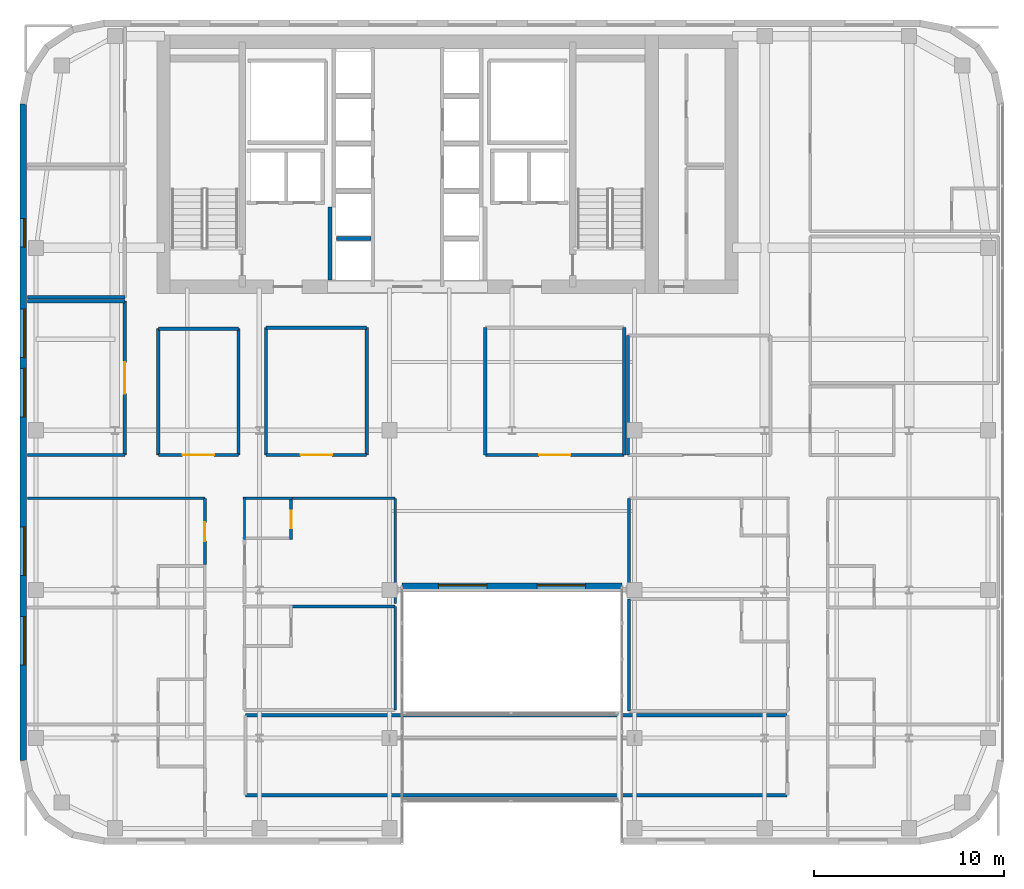
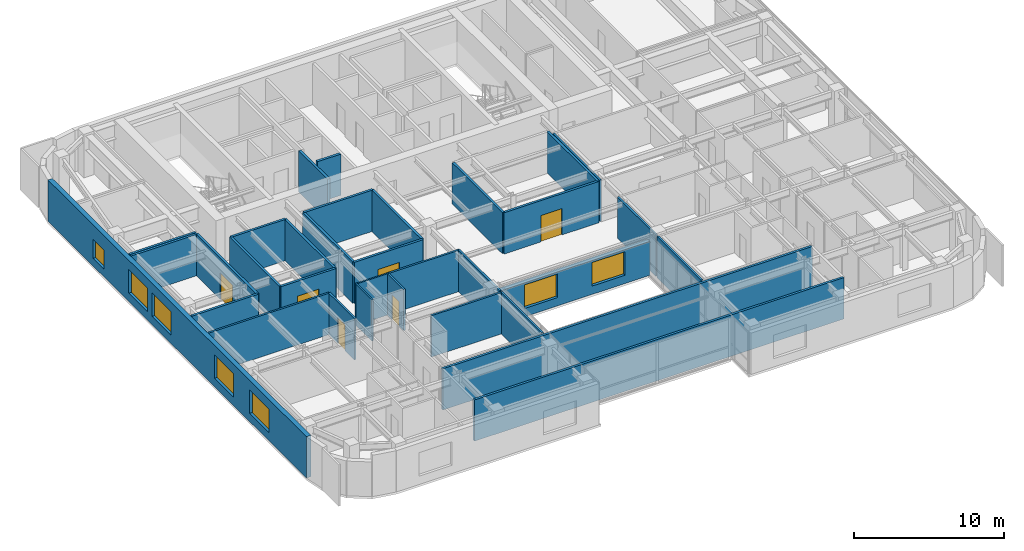
# One storey, part 14 of 20: 33 walls, 7 windows, 6 doors, 13 openings.
"""IFC4 building model written with IfcOpenShell, lengths in metres."""

from ifc_helpers import new_model, si_unit, direction, frame, frame_2d, origin, place, context, subcontext, project, spatial, rectangle, extrude, source, transform, mapped, material, layer, layer_set, type_object, type_shapes, element, fill, save


model = new_model("IFC4")

# Units and contexts
model_context = context("Model", 3, precision=1e-05, world=origin(), true_north=direction((0.0, 1.0)))
body_context = subcontext(model_context, "Body", "Model", "MODEL_VIEW")
ifc_project = project(units=[si_unit("LENGTHUNIT", "METRE"), si_unit("AREAUNIT", "SQUARE_METRE"), si_unit("VOLUMEUNIT", "CUBIC_METRE"), si_unit("PLANEANGLEUNIT", "RADIAN"), si_unit("MASSUNIT", "GRAM", prefix="KILO")], contexts=[model_context])

# Site, building, storey
site_placement = place(None, origin())
site = spatial("IfcSite", under=ifc_project, at=site_placement, CompositionType="ELEMENT")
building_placement = place(site_placement, origin())
building = spatial("IfcBuilding", under=site, at=building_placement, Name="Tolvann Quenvar Hotel", CompositionType="ELEMENT")
storey_placement = place(building_placement, frame((0.0, 0.0, 171.89990234375)))
storey = spatial("IfcBuildingStorey", under=building, at=storey_placement, Name="L45", CompositionType="ELEMENT", Elevation=171.89990234375)

# Wall, openings, windows
ifc_material_1 = material(Name="Kiln-fired red and buff architectural clay brickwork and terracotta masonry", Category="masonry")
ifc_layer_1 = layer(ifc_material_1, 0.35009765625)
ifc_layer_set_1 = layer_set([ifc_layer_1], Name="Kiln-fired red and buff architectural clay brickwork and terracotta masonry")
wall_type_1 = type_object("IfcWallType", Name="WALL_EXT_BRICK_350", PredefinedType="SOLIDWALL", material=ifc_layer_set_1)
wall_1_placement = place(storey_placement, frame((22.7099609375, 16.175048828125, 0.0), z_axis=(0.0, 0.0, 1.0), x_axis=(1.0, 0.0, 0.0)))
wall_1 = element("IfcWall", 1, at=wall_1_placement, inside=storey, type_object=wall_type_1, Name="Exterior Chicago Brick Wall L45-E06", PredefinedType="SOLIDWALL", context=body_context, shape_type="SweptSolid", body=[
    extrude(rectangle(XDim=11.580078125, YDim=0.35009765625, at=frame_2d((5.7900390625, 0.0))), origin(), (0.0, 0.0, 1.0), 2.758056640625),
])
opening_1_placement = place(wall_1_placement, frame((1.919921875, 0.0, 0.679931640625)))
opening_1 = element("IfcOpeningElement", 2, at=opening_1_placement, cuts=wall_1, Name="Opening W-09", PredefinedType="OPENING", context=body_context, shape_type="SweptSolid", body=[
    extrude(rectangle(XDim=2.550048828125, YDim=1.919921875, at=frame_2d((1.27490234375, 0.9599609375))), frame((0.0, 0.18505859375, 0.0), z_axis=(0.0, -1.0, 0.0), x_axis=(1.0, 0.0, 0.0)), (0.0, 0.0, 1.0), 0.3701171875),
])
opening_2_placement = place(wall_1_placement, frame((7.110107421875, 0.0, 0.679931640625)))
opening_2 = element("IfcOpeningElement", 3, at=opening_2_placement, cuts=wall_1, Name="Opening W-09", PredefinedType="OPENING", context=body_context, shape_type="SweptSolid", body=[
    extrude(rectangle(XDim=2.550048828125, YDim=1.919921875, at=frame_2d((1.27490234375, 0.9599609375))), frame((0.0, 0.18505859375, 0.0), z_axis=(0.0, -1.0, 0.0), x_axis=(1.0, 0.0, 0.0)), (0.0, 0.0, 1.0), 0.3701171875),
])
ifc_material_2 = material(Name="Thermally broken bronze-anodised aluminium frame with double low-E glazing", Category="aluminium")
window_type_1 = type_object("IfcWindowType", Name="WIN_LNG_2550x1950", PartitioningType="TRIPLE_PANEL_HORIZONTAL", PredefinedType="WINDOW", material=ifc_material_2)
shared_shape_1 = source(origin(), body_context, "Body", "SweptSolid", [
    extrude(rectangle(XDim=2.550048828125, YDim=1.919921875, at=frame_2d((1.27490234375, 0.9599609375))), frame((0.0, 0.090087890625, 0.0), z_axis=(0.0, -1.0, 0.0), x_axis=(1.0, 0.0, 0.0)), (0.0, 0.0, 1.0), 0.06005859375),
])
type_shapes(window_type_1, [shared_shape_1])
window_1_placement = place(opening_1_placement, origin())
window_1 = element("IfcWindow", 4, at=window_1_placement, inside=storey, type_object=window_type_1, Name="Chicago Window W-09 (EW-L45-E06-W01)", OverallHeight=1.919921875, OverallWidth=2.550048828125, PartitioningType="TRIPLE_PANEL_HORIZONTAL", PredefinedType="WINDOW", context=body_context, shape_type="MappedRepresentation", body=[
    mapped(shared_shape_1, transform((0.0, 0.0, 0.0), x_axis=(1.0, 0.0, 0.0), y_axis=(0.0, 1.0, 0.0), z_axis=(0.0, 0.0, 1.0), scale=1.0)),
])
fill(opening_1, window_1)
window_2_placement = place(opening_2_placement, origin())
window_2 = element("IfcWindow", 5, at=window_2_placement, inside=storey, type_object=window_type_1, Name="Chicago Window W-09 (EW-L45-E06-W02)", OverallHeight=1.919921875, OverallWidth=2.550048828125, PartitioningType="TRIPLE_PANEL_HORIZONTAL", PredefinedType="WINDOW", context=body_context, shape_type="MappedRepresentation", body=[
    mapped(shared_shape_1, transform((0.0, 0.0, 0.0), x_axis=(1.0, 0.0, 0.0), y_axis=(0.0, 1.0, 0.0), z_axis=(0.0, 0.0, 1.0), scale=1.0)),
])
fill(opening_2, window_2)

wall_2_placement = place(storey_placement, frame((2.77490234375, 41.582763671875, 0.0), z_axis=(0.0, 0.0, 1.0), x_axis=(0.0, -1.0, 0.0)))
wall_2 = element("IfcWall", 6, at=wall_2_placement, inside=storey, type_object=wall_type_1, Name="Exterior Chicago Brick Wall L45-E23", PredefinedType="SOLIDWALL", context=body_context, shape_type="SweptSolid", body=[
    extrude(rectangle(XDim=34.565673828125, YDim=0.35009765625, at=frame_2d((17.28271484375, 0.0))), origin(), (0.0, 0.0, 1.0), 3.3701171875),
])
opening_3_placement = place(wall_2_placement, frame((10.802001953125, 0.0, 0.679931640625)))
opening_3 = element("IfcOpeningElement", 7, at=opening_3_placement, cuts=wall_2, Name="Opening W-09", PredefinedType="OPENING", context=body_context, shape_type="SweptSolid", body=[
    extrude(rectangle(XDim=2.550048828125, YDim=1.919921875, at=frame_2d((1.27490234375, 0.9599609375))), frame((0.0, 0.18505859375, 0.0), z_axis=(0.0, -1.0, 0.0), x_axis=(1.0, 0.0, 0.0)), (0.0, 0.0, 1.0), 0.3701171875),
])
opening_4_placement = place(wall_2_placement, frame((13.922119140625, 0.0, 0.679931640625)))
opening_4 = element("IfcOpeningElement", 8, at=opening_4_placement, cuts=wall_2, Name="Opening W-09", PredefinedType="OPENING", context=body_context, shape_type="SweptSolid", body=[
    extrude(rectangle(XDim=2.550048828125, YDim=1.919921875, at=frame_2d((1.27490234375, 0.9599609375))), frame((0.0, 0.18505859375, 0.0), z_axis=(0.0, -1.0, 0.0), x_axis=(1.0, 0.0, 0.0)), (0.0, 0.0, 1.0), 0.3701171875),
])
opening_5_placement = place(wall_2_placement, frame((22.263916015625, 0.0, 0.679931640625)))
opening_5 = element("IfcOpeningElement", 9, at=opening_5_placement, cuts=wall_2, Name="Opening W-09", PredefinedType="OPENING", context=body_context, shape_type="SweptSolid", body=[
    extrude(rectangle(XDim=2.550048828125, YDim=1.919921875, at=frame_2d((1.27490234375, 0.9599609375))), frame((0.0, 0.18505859375, 0.0), z_axis=(0.0, -1.0, 0.0), x_axis=(1.0, 0.0, 0.0)), (0.0, 0.0, 1.0), 0.3701171875),
])
opening_6_placement = place(wall_2_placement, frame((26.985107421875, 0.0, 0.679931640625)))
opening_6 = element("IfcOpeningElement", 10, at=opening_6_placement, cuts=wall_2, Name="Opening W-09", PredefinedType="OPENING", context=body_context, shape_type="SweptSolid", body=[
    extrude(rectangle(XDim=2.550048828125, YDim=1.919921875, at=frame_2d((1.27490234375, 0.9599609375))), frame((0.0, 0.18505859375, 0.0), z_axis=(0.0, -1.0, 0.0), x_axis=(1.0, 0.0, 0.0)), (0.0, 0.0, 1.0), 0.3701171875),
])
opening_7_placement = place(wall_2_placement, frame((6.032958984375, 0.0, 0.6201171875)))
opening_7 = element("IfcOpeningElement", 11, at=opening_7_placement, cuts=wall_2, Name="Opening W-08", PredefinedType="OPENING", context=body_context, shape_type="SweptSolid", body=[
    extrude(rectangle(XDim=1.5, YDim=1.550048828125, at=frame_2d((0.75, 0.77490234375))), frame((0.0, 0.18505859375, 0.0), z_axis=(0.0, -1.0, 0.0), x_axis=(1.0, 0.0, 0.0)), (0.0, 0.0, 1.0), 0.3701171875),
])
window_type_2 = type_object("IfcWindowType", Name="WIN_COR_1500x2050", PartitioningType="SINGLE_PANEL", PredefinedType="WINDOW", material=ifc_material_2)
shared_shape_2 = source(origin(), body_context, "Body", "SweptSolid", [
    extrude(rectangle(XDim=1.5, YDim=1.550048828125, at=frame_2d((0.75, 0.77490234375))), frame((0.0, 0.090087890625, 0.0), z_axis=(0.0, -1.0, 0.0), x_axis=(1.0, 0.0, 0.0)), (0.0, 0.0, 1.0), 0.06005859375),
])
type_shapes(window_type_2, [shared_shape_2])
window_3_placement = place(opening_7_placement, origin())
window_3 = element("IfcWindow", 12, at=window_3_placement, inside=storey, type_object=window_type_2, Name="Chicago Window W-08 (EW-L45-E23-WD05)", OverallHeight=1.550048828125, OverallWidth=1.5, PartitioningType="SINGLE_PANEL", PredefinedType="WINDOW", context=body_context, shape_type="MappedRepresentation", body=[
    mapped(shared_shape_2, transform((0.0, 0.0, 0.0), x_axis=(1.0, 0.0, 0.0), y_axis=(0.0, 1.0, 0.0), z_axis=(0.0, 0.0, 1.0), scale=1.0)),
])
fill(opening_7, window_3)
window_4_placement = place(opening_3_placement, origin())
window_4 = element("IfcWindow", 13, at=window_4_placement, inside=storey, type_object=window_type_1, Name="Chicago Window W-09 (EW-L45-E23-W01)", OverallHeight=1.919921875, OverallWidth=2.550048828125, PartitioningType="TRIPLE_PANEL_HORIZONTAL", PredefinedType="WINDOW", context=body_context, shape_type="MappedRepresentation", body=[
    mapped(shared_shape_1, transform((0.0, 0.0, 0.0), x_axis=(1.0, 0.0, 0.0), y_axis=(0.0, 1.0, 0.0), z_axis=(0.0, 0.0, 1.0), scale=1.0)),
])
fill(opening_3, window_4)
window_5_placement = place(opening_4_placement, origin())
window_5 = element("IfcWindow", 14, at=window_5_placement, inside=storey, type_object=window_type_1, Name="Chicago Window W-09 (EW-L45-E23-W02)", OverallHeight=1.919921875, OverallWidth=2.550048828125, PartitioningType="TRIPLE_PANEL_HORIZONTAL", PredefinedType="WINDOW", context=body_context, shape_type="MappedRepresentation", body=[
    mapped(shared_shape_1, transform((0.0, 0.0, 0.0), x_axis=(1.0, 0.0, 0.0), y_axis=(0.0, 1.0, 0.0), z_axis=(0.0, 0.0, 1.0), scale=1.0)),
])
fill(opening_4, window_5)
window_6_placement = place(opening_5_placement, origin())
window_6 = element("IfcWindow", 15, at=window_6_placement, inside=storey, type_object=window_type_1, Name="Chicago Window W-09 (EW-L45-E23-W03)", OverallHeight=1.919921875, OverallWidth=2.550048828125, PartitioningType="TRIPLE_PANEL_HORIZONTAL", PredefinedType="WINDOW", context=body_context, shape_type="MappedRepresentation", body=[
    mapped(shared_shape_1, transform((0.0, 0.0, 0.0), x_axis=(1.0, 0.0, 0.0), y_axis=(0.0, 1.0, 0.0), z_axis=(0.0, 0.0, 1.0), scale=1.0)),
])
fill(opening_5, window_6)
window_7_placement = place(opening_6_placement, origin())
window_7 = element("IfcWindow", 16, at=window_7_placement, inside=storey, type_object=window_type_1, Name="Chicago Window W-09 (EW-L45-E23-W04)", OverallHeight=1.919921875, OverallWidth=2.550048828125, PartitioningType="TRIPLE_PANEL_HORIZONTAL", PredefinedType="WINDOW", context=body_context, shape_type="MappedRepresentation", body=[
    mapped(shared_shape_1, transform((0.0, 0.0, 0.0), x_axis=(1.0, 0.0, 0.0), y_axis=(0.0, 1.0, 0.0), z_axis=(0.0, 0.0, 1.0), scale=1.0)),
])
fill(opening_6, window_7)

# Walls
ifc_material_3 = material(Name="Acoustic twin-stud fire-rated gypsum plasterboard partition")
ifc_layer_2 = layer(ifc_material_3, 0.179931640625)
ifc_layer_set_2 = layer_set([ifc_layer_2], Name="Acoustic twin-stud fire-rated gypsum plasterboard partition")
wall_type_2 = type_object("IfcWallType", Name="WALL_PART_ACOUSTIC_180", PredefinedType="PARTITIONING", material=ifc_layer_set_2)
for number, where, z_axis, x_axis, name in (
    (17, (3.0048828125, 23.10009765625, 0.0), (0.0, 0.0, 1.0), (1.0, 0.0, 0.0), "Interior Partition PT-SPC-L45-SAL-S"),
    (18, (3.0048828125, 31.199951171875, 0.0), (0.0, 0.0, 1.0), (1.0, 0.0, 0.0), "Interior Partition PT-SPC-L45-SAL-N"),
):
    element("IfcWall", number, at=place(storey_placement, frame(where, z_axis=z_axis, x_axis=x_axis)), inside=storey, type_object=wall_type_2, Name=name, PredefinedType="PARTITIONING", context=body_context, shape_type="SweptSolid", body=[
        extrude(rectangle(XDim=5.115234375, YDim=0.179931640625, at=frame_2d((2.5576171875, 0.0))), origin(), (0.0, 0.0, 1.0), 3.3701171875),
    ])

# Wall, opening, door
wall_3_placement = place(storey_placement, frame((8.1201171875, 23.10009765625, 0.0), z_axis=(0.0, 0.0, 1.0), x_axis=(0.0, 1.0, 0.0)))
wall_3 = element("IfcWall", 19, at=wall_3_placement, inside=storey, type_object=wall_type_2, Name="Interior Partition PT-SPC-L45-SAL-E", PredefinedType="PARTITIONING", context=body_context, shape_type="SweptSolid", body=[
    extrude(rectangle(XDim=8.099853515625, YDim=0.179931640625, at=frame_2d((4.0498046875, 0.0))), origin(), (0.0, 0.0, 1.0), 3.3701171875),
])
opening_8_placement = place(wall_3_placement, frame((3.22509765625, 0.0, 0.0)))
opening_8 = element("IfcOpeningElement", 20, at=opening_8_placement, cuts=wall_3, Name="Opening AD-01", PredefinedType="OPENING", context=body_context, shape_type="SweptSolid", body=[
    extrude(rectangle(XDim=1.64990234375, YDim=2.14990234375, at=frame_2d((0.824951171875, 1.074951171875))), frame((0.0, 0.10009765625, 0.0), z_axis=(0.0, -1.0, 0.0), x_axis=(1.0, 0.0, 0.0)), (0.0, 0.0, 1.0), 0.199951171875),
])
ifc_material_4 = material(Name="Solid-core American oak acoustic fire door leaf in steel frame", Category="steel")
door_type_1 = type_object("IfcDoorType", Name="DOOR_SALON_1650", OperationType="NOTDEFINED", PredefinedType="DOOR", material=ifc_material_4)
shared_shape_3 = source(origin(), body_context, "Body", "SweptSolid", [
    extrude(rectangle(XDim=1.64990234375, YDim=2.14990234375, at=frame_2d((0.824951171875, 1.074951171875))), frame((0.0, 0.02490234375, 0.0), z_axis=(0.0, -1.0, 0.0), x_axis=(1.0, 0.0, 0.0)), (0.0, 0.0, 1.0), 0.050048828125),
])
type_shapes(door_type_1, [shared_shape_3])
door_1_placement = place(opening_8_placement, origin())
door_1 = element("IfcDoor", 21, at=door_1_placement, inside=storey, type_object=door_type_1, Name="Interior Door DOOR-SPC-L45-SAL", OperationType="DOUBLE_DOOR_SINGLE_SWING", OverallHeight=2.14990234375, OverallWidth=1.64990234375, PredefinedType="DOOR", context=body_context, shape_type="MappedRepresentation", body=[
    mapped(shared_shape_3, transform((0.0, 0.0, 0.0), x_axis=(1.0, 0.0, 0.0), y_axis=(0.0, 1.0, 0.0), z_axis=(0.0, 0.0, 1.0), scale=1.0)),
])
fill(opening_8, door_1)

# Wall
wall_4_placement = place(storey_placement, frame((3.0048828125, 31.39990234375, 0.0), z_axis=(0.0, 0.0, 1.0), x_axis=(1.0, 0.0, 0.0)))
element("IfcWall", 22, at=wall_4_placement, inside=storey, type_object=wall_type_2, Name="Interior Partition PT-SPC-L45-MTG-S", PredefinedType="PARTITIONING", context=body_context, shape_type="SweptSolid", body=[
    extrude(rectangle(XDim=5.115234375, YDim=0.179931640625, at=frame_2d((2.5576171875, 0.0))), origin(), (0.0, 0.0, 1.0), 3.3701171875),
])

# Wall, opening, door
wall_5_placement = place(storey_placement, frame((9.8798828125, 23.10009765625, 0.0), z_axis=(0.0, 0.0, 1.0), x_axis=(1.0, 0.0, 0.0)))
wall_5 = element("IfcWall", 23, at=wall_5_placement, inside=storey, type_object=wall_type_2, Name="Interior Partition PT-SPC-L45-MSP-W-S", PredefinedType="PARTITIONING", context=body_context, shape_type="SweptSolid", body=[
    extrude(rectangle(XDim=4.22021484375, YDim=0.179931640625, at=frame_2d((2.110107421875, 0.0))), origin(), (0.0, 0.0, 1.0), 3.3701171875),
])
opening_9_placement = place(wall_5_placement, frame((1.284912109375, 0.0, 0.0)))
opening_9 = element("IfcOpeningElement", 24, at=opening_9_placement, cuts=wall_5, Name="Opening AD-01", PredefinedType="OPENING", context=body_context, shape_type="SweptSolid", body=[
    extrude(rectangle(XDim=1.64990234375, YDim=2.14990234375, at=frame_2d((0.824951171875, 1.074951171875))), frame((0.0, 0.10009765625, 0.0), z_axis=(0.0, -1.0, 0.0), x_axis=(1.0, 0.0, 0.0)), (0.0, 0.0, 1.0), 0.199951171875),
])
door_2_placement = place(opening_9_placement, origin())
door_2 = element("IfcDoor", 25, at=door_2_placement, inside=storey, type_object=door_type_1, Name="Interior Door DOOR-SPC-L45-MSP-W", OperationType="DOUBLE_DOOR_SINGLE_SWING", OverallHeight=2.14990234375, OverallWidth=1.64990234375, PredefinedType="DOOR", context=body_context, shape_type="MappedRepresentation", body=[
    mapped(shared_shape_3, transform((0.0, 0.0, 0.0), x_axis=(1.0, 0.0, 0.0), y_axis=(0.0, 1.0, 0.0), z_axis=(0.0, 0.0, 1.0), scale=1.0)),
])
fill(opening_9, door_2)

# Walls
wall_6_placement = place(storey_placement, frame((9.8798828125, 29.75, 0.0), z_axis=(0.0, 0.0, 1.0), x_axis=(1.0, 0.0, 0.0)))
element("IfcWall", 26, at=wall_6_placement, inside=storey, type_object=wall_type_2, Name="Interior Partition PT-SPC-L45-MSP-W-N", PredefinedType="PARTITIONING", context=body_context, shape_type="SweptSolid", body=[
    extrude(rectangle(XDim=4.22021484375, YDim=0.179931640625, at=frame_2d((2.110107421875, 0.0))), origin(), (0.0, 0.0, 1.0), 3.3701171875),
])
for number, where, z_axis, x_axis, name in (
    (27, (9.8798828125, 23.10009765625, 0.0), (0.0, 0.0, 1.0), (0.0, 1.0, 0.0), "Interior Partition PT-SPC-L45-MSP-W-W"),
    (28, (14.10009765625, 23.10009765625, 0.0), (0.0, 0.0, 1.0), (0.0, 1.0, 0.0), "Interior Partition PT-SPC-L45-MSP-W-E"),
):
    element("IfcWall", number, at=place(storey_placement, frame(where, z_axis=z_axis, x_axis=x_axis)), inside=storey, type_object=wall_type_2, Name=name, PredefinedType="PARTITIONING", context=body_context, shape_type="SweptSolid", body=[
        extrude(rectangle(XDim=6.64990234375, YDim=0.179931640625, at=frame_2d((3.324951171875, 0.0))), origin(), (0.0, 0.0, 1.0), 3.3701171875),
    ])

# Wall, opening, door
wall_7_placement = place(storey_placement, frame((27.10009765625, 23.10009765625, 0.0), z_axis=(0.0, 0.0, 1.0), x_axis=(1.0, 0.0, 0.0)))
wall_7 = element("IfcWall", 29, at=wall_7_placement, inside=storey, type_object=wall_type_2, Name="Interior Partition PT-SPC-L45-MSP-C-S", PredefinedType="PARTITIONING", context=body_context, shape_type="SweptSolid", body=[
    extrude(rectangle(XDim=7.2998046875, YDim=0.179931640625, at=frame_2d((3.64990234375, 0.0))), origin(), (0.0, 0.0, 1.0), 3.3701171875),
])
opening_10_placement = place(wall_7_placement, frame((2.824951171875, 0.0, 0.0)))
opening_10 = element("IfcOpeningElement", 30, at=opening_10_placement, cuts=wall_7, Name="Opening AD-01", PredefinedType="OPENING", context=body_context, shape_type="SweptSolid", body=[
    extrude(rectangle(XDim=1.64990234375, YDim=2.14990234375, at=frame_2d((0.824951171875, 1.074951171875))), frame((0.0, 0.10009765625, 0.0), z_axis=(0.0, -1.0, 0.0), x_axis=(1.0, 0.0, 0.0)), (0.0, 0.0, 1.0), 0.199951171875),
])
door_3_placement = place(opening_10_placement, origin())
door_3 = element("IfcDoor", 31, at=door_3_placement, inside=storey, type_object=door_type_1, Name="Interior Door DOOR-SPC-L45-MSP-C", OperationType="DOUBLE_DOOR_SINGLE_SWING", OverallHeight=2.14990234375, OverallWidth=1.64990234375, PredefinedType="DOOR", context=body_context, shape_type="MappedRepresentation", body=[
    mapped(shared_shape_3, transform((0.0, 0.0, 0.0), x_axis=(1.0, 0.0, 0.0), y_axis=(0.0, 1.0, 0.0), z_axis=(0.0, 0.0, 1.0), scale=1.0)),
])
fill(opening_10, door_3)

# Walls
for number, where, z_axis, x_axis, name in (
    (32, (27.10009765625, 23.10009765625, 0.0), (0.0, 0.0, 1.0), (0.0, 1.0, 0.0), "Interior Partition PT-SPC-L45-MSP-C-W"),
    (33, (34.39990234375, 23.10009765625, 0.0), (0.0, 0.0, 1.0), (0.0, 1.0, 0.0), "Interior Partition PT-SPC-L45-MSP-C-E"),
):
    element("IfcWall", number, at=place(storey_placement, frame(where, z_axis=z_axis, x_axis=x_axis)), inside=storey, type_object=wall_type_2, Name=name, PredefinedType="PARTITIONING", context=body_context, shape_type="SweptSolid", body=[
        extrude(rectangle(XDim=6.699951171875, YDim=0.179931640625, at=frame_2d((3.35009765625, 0.0))), origin(), (0.0, 0.0, 1.0), 3.3701171875),
    ])

# Wall, opening, door
wall_8_placement = place(storey_placement, frame((15.550048828125, 23.10009765625, 0.0), z_axis=(0.0, 0.0, 1.0), x_axis=(1.0, 0.0, 0.0)))
wall_8 = element("IfcWall", 34, at=wall_8_placement, inside=storey, type_object=wall_type_2, Name="Interior Partition PT-SPC-L45-MSP-N-S", PredefinedType="PARTITIONING", context=body_context, shape_type="SweptSolid", body=[
    extrude(rectangle(XDim=5.300048828125, YDim=0.179931640625, at=frame_2d((2.64990234375, 0.0))), origin(), (0.0, 0.0, 1.0), 3.3701171875),
])
opening_11_placement = place(wall_8_placement, frame((1.824951171875, 0.0, 0.0)))
opening_11 = element("IfcOpeningElement", 35, at=opening_11_placement, cuts=wall_8, Name="Opening AD-01", PredefinedType="OPENING", context=body_context, shape_type="SweptSolid", body=[
    extrude(rectangle(XDim=1.64990234375, YDim=2.14990234375, at=frame_2d((0.824951171875, 1.074951171875))), frame((0.0, 0.10009765625, 0.0), z_axis=(0.0, -1.0, 0.0), x_axis=(1.0, 0.0, 0.0)), (0.0, 0.0, 1.0), 0.199951171875),
])
door_4_placement = place(opening_11_placement, origin())
door_4 = element("IfcDoor", 36, at=door_4_placement, inside=storey, type_object=door_type_1, Name="Interior Door DOOR-SPC-L45-MSP-N", OperationType="DOUBLE_DOOR_SINGLE_SWING", OverallHeight=2.14990234375, OverallWidth=1.64990234375, PredefinedType="DOOR", context=body_context, shape_type="MappedRepresentation", body=[
    mapped(shared_shape_3, transform((0.0, 0.0, 0.0), x_axis=(1.0, 0.0, 0.0), y_axis=(0.0, 1.0, 0.0), z_axis=(0.0, 0.0, 1.0), scale=1.0)),
])
fill(opening_11, door_4)

# Walls
wall_9_placement = place(storey_placement, frame((15.550048828125, 29.800048828125, 0.0), z_axis=(0.0, 0.0, 1.0), x_axis=(1.0, 0.0, 0.0)))
element("IfcWall", 37, at=wall_9_placement, inside=storey, type_object=wall_type_2, Name="Interior Partition PT-SPC-L45-MSP-N-N", PredefinedType="PARTITIONING", context=body_context, shape_type="SweptSolid", body=[
    extrude(rectangle(XDim=5.300048828125, YDim=0.179931640625, at=frame_2d((2.64990234375, 0.0))), origin(), (0.0, 0.0, 1.0), 3.3701171875),
])
for number, where, z_axis, x_axis, name in (
    (38, (15.550048828125, 23.10009765625, 0.0), (0.0, 0.0, 1.0), (0.0, 1.0, 0.0), "Interior Partition PT-SPC-L45-MSP-N-W"),
    (39, (20.85009765625, 23.10009765625, 0.0), (0.0, 0.0, 1.0), (0.0, 1.0, 0.0), "Interior Partition PT-SPC-L45-MSP-N-E"),
):
    element("IfcWall", number, at=place(storey_placement, frame(where, z_axis=z_axis, x_axis=x_axis)), inside=storey, type_object=wall_type_2, Name=name, PredefinedType="PARTITIONING", context=body_context, shape_type="SweptSolid", body=[
        extrude(rectangle(XDim=6.699951171875, YDim=0.179931640625, at=frame_2d((3.35009765625, 0.0))), origin(), (0.0, 0.0, 1.0), 3.3701171875),
    ])
for number, where, z_axis, x_axis, name in (
    (40, (14.469970703125, 5.199951171875, 0.0), (0.0, 0.0, 1.0), (1.0, 0.0, 0.0), "Interior Partition PT-SPC-L45-BRG-S"),
    (41, (14.469970703125, 9.39990234375, 0.0), (0.0, 0.0, 1.0), (1.0, 0.0, 0.0), "Interior Partition PT-SPC-L45-BRG-N"),
):
    element("IfcWall", number, at=place(storey_placement, frame(where, z_axis=z_axis, x_axis=x_axis)), inside=storey, type_object=wall_type_2, Name=name, PredefinedType="PARTITIONING", context=body_context, shape_type="SweptSolid", body=[
        extrude(rectangle(XDim=28.510009765625, YDim=0.179931640625, at=frame_2d((14.2548828125, 0.0))), origin(), (0.0, 0.0, 1.0), 3.3701171875),
    ])
ifc_material_5 = material(Name="Moisture-resistant acoustic plumbing wall assembly")
ifc_layer_3 = layer(ifc_material_5, 0.1201171875)
ifc_layer_set_3 = layer_set([ifc_layer_3], Name="Moisture-resistant acoustic plumbing wall assembly")
wall_type_3 = type_object("IfcWallType", Name="WALL_PART_BATH_120", PredefinedType="PLUMBINGWALL", material=ifc_layer_set_3)
wall_10_placement = place(storey_placement, frame((14.35009765625, 20.820068359375, 0.0), z_axis=(0.0, 0.0, 1.0), x_axis=(1.0, 0.0, 0.0)))
element("IfcWall", 42, at=wall_10_placement, inside=storey, type_object=wall_type_3, Name="Non-Rated Plumbing Partition PT-SPC-L45-ENS-WI02-N", PredefinedType="PLUMBINGWALL", context=body_context, shape_type="SweptSolid", body=[
    extrude(rectangle(XDim=2.58984375, YDim=0.1201171875, at=frame_2d((1.294921875, 0.0))), origin(), (0.0, 0.0, 1.0), 3.3701171875),
])
wall_11_placement = place(storey_placement, frame((14.419921875, 18.64501953125, 0.0), z_axis=(0.0, 0.0, 1.0), x_axis=(0.0, 1.0, 0.0)))
element("IfcWall", 43, at=wall_11_placement, inside=storey, type_object=wall_type_3, Name="Non-Rated Plumbing Partition PT-SPC-L45-ENS-WI02-W", PredefinedType="PLUMBINGWALL", context=body_context, shape_type="SweptSolid", body=[
    extrude(rectangle(XDim=2.244873046875, YDim=0.1201171875, at=frame_2d((1.12255859375, 0.0))), origin(), (0.0, 0.0, 1.0), 3.3701171875),
])

# Wall, opening, door
ifc_layer_4 = layer(ifc_material_3, 0.14990234375)
ifc_layer_set_4 = layer_set([ifc_layer_4], Name="Acoustic twin-stud fire-rated gypsum plasterboard partition")
wall_type_4 = type_object("IfcWallType", Name="WALL_PART_SUITE_150", PredefinedType="PARTITIONING", material=ifc_layer_set_4)
wall_12_placement = place(storey_placement, frame((16.8701171875, 18.64501953125, 0.0), z_axis=(0.0, 0.0, 1.0), x_axis=(0.0, 1.0, 0.0)))
wall_12 = element("IfcWall", 44, at=wall_12_placement, inside=storey, type_object=wall_type_4, Name="Interior Partition PT-SPC-L45-ENS-WI02-ENT", PredefinedType="PARTITIONING", context=body_context, shape_type="SweptSolid", body=[
    extrude(rectangle(XDim=2.244873046875, YDim=0.14990234375, at=frame_2d((1.12255859375, 0.0))), origin(), (0.0, 0.0, 1.0), 3.3701171875),
])
opening_12_placement = place(wall_12_placement, frame((0.592529296875, 0.0, 0.0)))
opening_12 = element("IfcOpeningElement", 45, at=opening_12_placement, cuts=wall_12, Name="Opening WD-01", PredefinedType="OPENING", context=body_context, shape_type="SweptSolid", body=[
    extrude(rectangle(XDim=0.919921875, YDim=2.010009765625, at=frame_2d((0.4599609375, 1.0048828125))), frame((0.0, 0.0849609375, 0.0), z_axis=(0.0, -1.0, 0.0), x_axis=(1.0, 0.0, 0.0)), (0.0, 0.0, 1.0), 0.169921875),
])
door_type_2 = type_object("IfcDoorType", Name="DOOR_WC_920", OperationType="NOTDEFINED", PredefinedType="DOOR", material=ifc_material_4)
shared_shape_4 = source(origin(), body_context, "Body", "SweptSolid", [
    extrude(rectangle(XDim=0.919921875, YDim=2.010009765625, at=frame_2d((0.4599609375, 1.0048828125))), frame((0.0, 0.02490234375, 0.0), z_axis=(0.0, -1.0, 0.0), x_axis=(1.0, 0.0, 0.0)), (0.0, 0.0, 1.0), 0.050048828125),
])
type_shapes(door_type_2, [shared_shape_4])
door_5_placement = place(opening_12_placement, origin())
door_5 = element("IfcDoor", 46, at=door_5_placement, inside=storey, type_object=door_type_2, Name="Interior Door DOOR-SPC-L45-ENS-WI02", OperationType="SINGLE_SWING_RIGHT", OverallHeight=2.010009765625, OverallWidth=0.919921875, PredefinedType="DOOR", context=body_context, shape_type="MappedRepresentation", body=[
    mapped(shared_shape_4, transform((0.0, 0.0, 0.0), x_axis=(1.0, 0.0, 0.0), y_axis=(0.0, 1.0, 0.0), z_axis=(0.0, 0.0, 1.0), scale=1.0)),
])
fill(opening_12, door_5)

wall_13_placement = place(storey_placement, frame((12.330078125, 17.341064453125, 0.0), z_axis=(0.0, 0.0, 1.0), x_axis=(0.0, 1.0, 0.0)))
wall_13 = element("IfcWall", 47, at=wall_13_placement, inside=storey, type_object=wall_type_4, Name="Interior Partition PT-SPC-L45-RM-WO03-ENT", PredefinedType="PARTITIONING", context=body_context, shape_type="SweptSolid", body=[
    extrude(rectangle(XDim=3.47900390625, YDim=0.14990234375, at=frame_2d((1.739501953125, 0.0))), origin(), (0.0, 0.0, 1.0), 3.3701171875),
])
opening_13_placement = place(wall_13_placement, frame((1.2294921875, 0.0, 0.0)))
opening_13 = element("IfcOpeningElement", 48, at=opening_13_placement, cuts=wall_13, Name="Opening SD-01", PredefinedType="OPENING", context=body_context, shape_type="SweptSolid", body=[
    extrude(rectangle(XDim=0.97998046875, YDim=2.1201171875, at=frame_2d((0.489990234375, 1.06005859375))), frame((0.0, 0.0849609375, 0.0), z_axis=(0.0, -1.0, 0.0), x_axis=(1.0, 0.0, 0.0)), (0.0, 0.0, 1.0), 0.169921875),
])
door_type_3 = type_object("IfcDoorType", Name="DOOR_SUITE_980", OperationType="NOTDEFINED", PredefinedType="DOOR", material=ifc_material_4)
shared_shape_5 = source(origin(), body_context, "Body", "SweptSolid", [
    extrude(rectangle(XDim=0.97998046875, YDim=2.1201171875, at=frame_2d((0.489990234375, 1.06005859375))), frame((0.0, 0.02490234375, 0.0), z_axis=(0.0, -1.0, 0.0), x_axis=(1.0, 0.0, 0.0)), (0.0, 0.0, 1.0), 0.050048828125),
])
type_shapes(door_type_3, [shared_shape_5])
door_6_placement = place(opening_13_placement, origin())
door_6 = element("IfcDoor", 49, at=door_6_placement, inside=storey, type_object=door_type_3, Name="Interior Door DOOR-SPC-L45-RM-WO03", OperationType="SINGLE_SWING_LEFT", OverallHeight=2.1201171875, OverallWidth=0.97998046875, PredefinedType="DOOR", context=body_context, shape_type="MappedRepresentation", body=[
    mapped(shared_shape_5, transform((0.0, 0.0, 0.0), x_axis=(1.0, 0.0, 0.0), y_axis=(0.0, 1.0, 0.0), z_axis=(0.0, 0.0, 1.0), scale=1.0)),
])
fill(opening_13, door_6)

# Walls
wall_14_placement = place(storey_placement, frame((3.0048828125, 20.820068359375, 0.0), z_axis=(0.0, 0.0, 1.0), x_axis=(1.0, 0.0, 0.0)))
element("IfcWall", 50, at=wall_14_placement, inside=storey, type_object=wall_type_4, Name="Interior Partition PT-SPC-L45-RM-WO03-E5", PredefinedType="PARTITIONING", context=body_context, shape_type="SweptSolid", body=[
    extrude(rectangle(XDim=9.3251953125, YDim=0.14990234375, at=frame_2d((4.66259765625, 0.0))), origin(), (0.0, 0.0, 1.0), 3.3701171875),
])
wall_15_placement = place(storey_placement, frame((22.35009765625, 9.679931640625, 0.0), z_axis=(0.0, 0.0, 1.0), x_axis=(0.0, 1.0, 0.0)))
element("IfcWall", 51, at=wall_15_placement, inside=storey, type_object=wall_type_4, Name="Interior Partition PT-SPC-L45-RM-WI01-E2", PredefinedType="PARTITIONING", context=body_context, shape_type="SweptSolid", body=[
    extrude(rectangle(XDim=5.440185546875, YDim=0.14990234375, at=frame_2d((2.72021484375, 0.0))), origin(), (0.0, 0.0, 1.0), 3.3701171875),
])
wall_16_placement = place(storey_placement, frame((16.889892578125, 15.1201171875, 0.0), z_axis=(0.0, 0.0, 1.0), x_axis=(1.0, 0.0, 0.0)))
element("IfcWall", 52, at=wall_16_placement, inside=storey, type_object=wall_type_4, Name="Interior Partition PT-SPC-L45-RM-WI01-E3", PredefinedType="PARTITIONING", context=body_context, shape_type="SweptSolid", body=[
    extrude(rectangle(XDim=5.460205078125, YDim=0.14990234375, at=frame_2d((2.72998046875, 0.0))), origin(), (0.0, 0.0, 1.0), 3.3701171875),
])
wall_17_placement = place(storey_placement, frame((22.35009765625, 15.280029296875, 0.0), z_axis=(0.0, 0.0, 1.0), x_axis=(0.0, 1.0, 0.0)))
element("IfcWall", 53, at=wall_17_placement, inside=storey, type_object=wall_type_4, Name="Interior Partition PT-SPC-L45-RM-WI02-E2", PredefinedType="PARTITIONING", context=body_context, shape_type="SweptSolid", body=[
    extrude(rectangle(XDim=5.5400390625, YDim=0.14990234375, at=frame_2d((2.77001953125, 0.0))), origin(), (0.0, 0.0, 1.0), 3.3701171875),
])
wall_18_placement = place(storey_placement, frame((16.889892578125, 20.820068359375, 0.0), z_axis=(0.0, 0.0, 1.0), x_axis=(1.0, 0.0, 0.0)))
element("IfcWall", 54, at=wall_18_placement, inside=storey, type_object=wall_type_4, Name="Interior Partition PT-SPC-L45-RM-WI02-E3", PredefinedType="PARTITIONING", context=body_context, shape_type="SweptSolid", body=[
    extrude(rectangle(XDim=5.460205078125, YDim=0.14990234375, at=frame_2d((2.72998046875, 0.0))), origin(), (0.0, 0.0, 1.0), 3.3701171875),
])
wall_19_placement = place(storey_placement, frame((34.64990234375, 9.6298828125, 0.0), z_axis=(0.0, 0.0, 1.0), x_axis=(0.0, 1.0, 0.0)))
element("IfcWall", 55, at=wall_19_placement, inside=storey, type_object=wall_type_4, Name="Interior Partition PT-SPC-L45-RM-EI01-E6", PredefinedType="PARTITIONING", context=body_context, shape_type="SweptSolid", body=[
    extrude(rectangle(XDim=5.89013671875, YDim=0.14990234375, at=frame_2d((2.945068359375, 0.0))), origin(), (0.0, 0.0, 1.0), 3.3701171875),
])
wall_20_placement = place(storey_placement, frame((34.64990234375, 15.679931640625, 0.0), z_axis=(0.0, 0.0, 1.0), x_axis=(0.0, 1.0, 0.0)))
element("IfcWall", 56, at=wall_20_placement, inside=storey, type_object=wall_type_4, Name="Interior Partition PT-SPC-L45-RM-EI02-E6", PredefinedType="PARTITIONING", context=body_context, shape_type="SweptSolid", body=[
    extrude(rectangle(XDim=5.14013671875, YDim=0.14990234375, at=frame_2d((2.570068359375, 0.0))), origin(), (0.0, 0.0, 1.0), 3.3701171875),
])
wall_21_placement = place(storey_placement, frame((34.60009765625, 23.10009765625, 0.0), z_axis=(0.0, 0.0, 1.0), x_axis=(0.0, 1.0, 0.0)))
element("IfcWall", 57, at=wall_21_placement, inside=storey, type_object=wall_type_4, Name="Interior Partition PT-SPC-L45-MSP-E-W", PredefinedType="PARTITIONING", context=body_context, shape_type="SweptSolid", body=[
    extrude(rectangle(XDim=6.2998046875, YDim=0.14990234375, at=frame_2d((3.14990234375, 0.0))), origin(), (0.0, 0.0, 1.0), 3.3701171875),
])
ifc_material_6 = material(Name="Concrete N40 (40 MPa)", Category="concrete")
ifc_layer_5 = layer(ifc_material_6, 0.199951171875)
ifc_layer_set_5 = layer_set([ifc_layer_5], Name="Concrete N40 (40 MPa)")
wall_type_5 = type_object("IfcWallType", Name="WALL_SHAFT_200", PredefinedType="SOLIDWALL", material=ifc_layer_set_5)
wall_22_placement = place(storey_placement, frame((18.919921875, 32.303955078125, 0.0), z_axis=(0.0, 0.0, 1.0), x_axis=(0.0, 1.0, 0.0)))
element("IfcWall", 58, at=wall_22_placement, inside=storey, type_object=wall_type_5, Name="Firefighting Lobby W Inner Fire Wall (L45)", PredefinedType="SOLIDWALL", context=body_context, shape_type="SweptSolid", body=[
    extrude(rectangle(XDim=3.845947265625, YDim=0.199951171875, at=frame_2d((1.9228515625, 0.0))), origin(), (0.0, 0.0, 1.0), 3.3701171875),
])
wall_23_placement = place(storey_placement, frame((19.27001953125, 34.5, 0.0), z_axis=(0.0, 0.0, 1.0), x_axis=(1.0, 0.0, 0.0)))
element("IfcWall", 59, at=wall_23_placement, inside=storey, type_object=wall_type_5, Name="Lift Bank E21.1C1 Divider Wall 1 (L45)", PredefinedType="SOLIDWALL", context=body_context, shape_type="SweptSolid", body=[
    extrude(rectangle(XDim=1.800048828125, YDim=0.199951171875, at=frame_2d((0.89990234375, 0.0))), origin(), (0.0, 0.0, 1.0), 3.3701171875),
])

save(model, "model.ifc")
